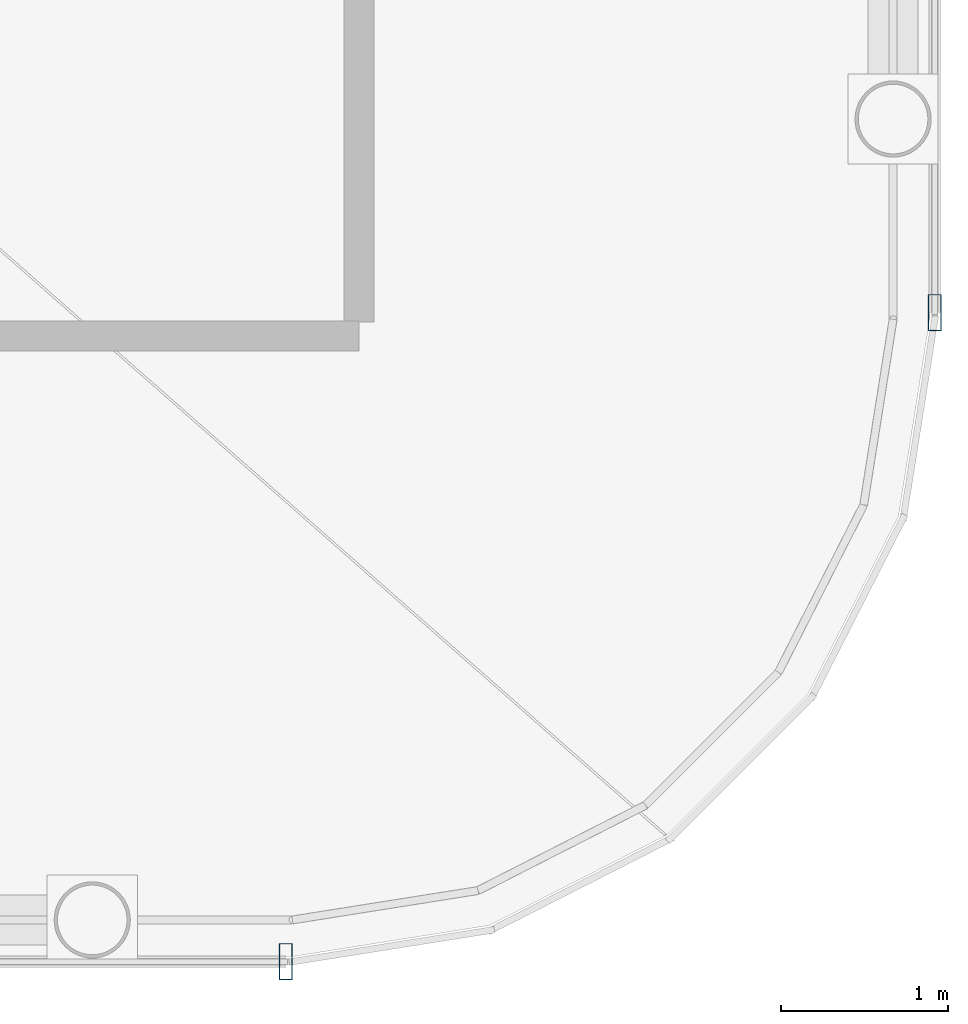
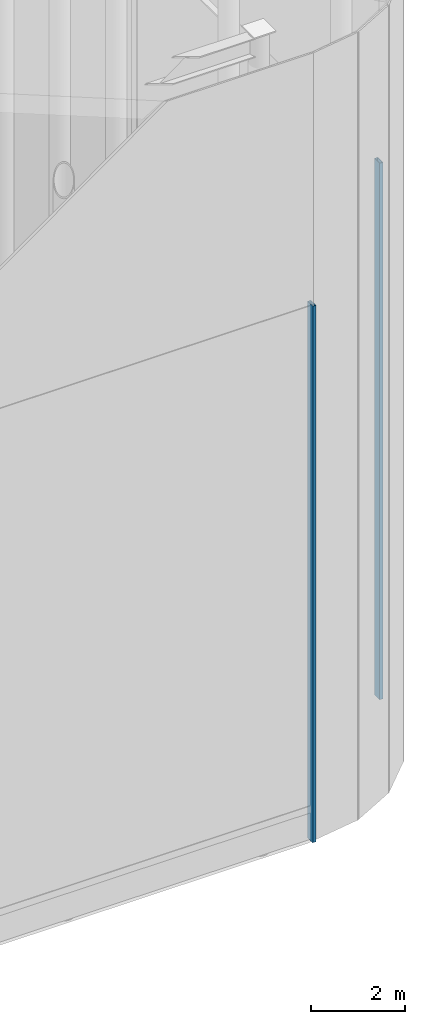
# One storey, part 18 of 42: 2 members, 2 elements without a shape of their own.
"""IFC4 building model written with IfcOpenShell, lengths in metres."""

import ifcopenshell
import ifcopenshell.guid

model = None  # the IFC model being written
_history = None  # IfcOwnerHistory: only IFC2X3 demands one
_inside = {}  # id of a spatial element -> (the spatial element, [elements in it])
_under = {}  # id of a project, library or spatial element -> (it, [spatial elements below it])
_declared = {}  # id of a project -> (the project, [libraries it declares])
_typed = {}  # id of a type object -> (the type object, [elements of that type])
_made_of = {}  # id of a material, layer set ... -> (it, [elements and type objects made of it])


def new_model(schema):
    """Start an empty IFC model of exactly this schema.

    Asked for "IFC4X3", IfcOpenShell would pick the latest addendum, in which some entities
    have other attributes; the version numbers below select the first issue.
    IFC2X3 requires an IfcOwnerHistory on every rooted entity: one is made here for all.
    """
    global model, _history
    if schema == "IFC4X3":
        model = ifcopenshell.file(schema_version=(4, 3, 0, 0))
    else:
        model = ifcopenshell.file(schema=schema)
    _inside.clear()
    _under.clear()
    _declared.clear()
    _typed.clear()
    _made_of.clear()
    _history = None
    if model.schema == "IFC2X3":
        org = make("IfcOrganization", Name="unknown")
        user = make(
            "IfcPersonAndOrganization",
            ThePerson=make("IfcPerson", FamilyName="unknown"),
            TheOrganization=org,
        )
        app = make(
            "IfcApplication",
            ApplicationDeveloper=org,
            Version="unknown",
            ApplicationFullName="unknown",
            ApplicationIdentifier="unknown",
        )
        _history = make(
            "IfcOwnerHistory",
            OwningUser=user,
            OwningApplication=app,
            ChangeAction="ADDED",
            CreationDate=0,
        )
    return model


def make(cls, **values):
    """One entity of the class cls with the attributes given. An attribute that is None is left unset."""
    return model.create_entity(
        cls, **{name: value for name, value in values.items() if value is not None}
    )


def rooted(cls, **values):
    """An entity with a GlobalId (a new one), such as an element, a storey or a relation."""
    return make(cls, GlobalId=ifcopenshell.guid.new(), OwnerHistory=_history, **values)


def si_unit(unit_type, name, prefix=None):
    """IfcSIUnit, for example si_unit("LENGTHUNIT", "METRE", prefix="MILLI")."""
    return make("IfcSIUnit", UnitType=unit_type, Prefix=prefix, Name=name)


def assignment(units):
    """IfcUnitAssignment: the units of a project."""
    return None if units is None else make("IfcUnitAssignment", Units=units)


def point(xyz):
    """IfcCartesianPoint."""
    return None if xyz is None else make("IfcCartesianPoint", Coordinates=xyz)


def direction(xyz):
    """IfcDirection."""
    return None if xyz is None else make("IfcDirection", DirectionRatios=xyz)


def frame(location, z_axis=None, x_axis=None):
    """IfcAxis2Placement3D, a coordinate frame: its origin and axes. An axis left out is left unset."""
    return make(
        "IfcAxis2Placement3D",
        Location=point(location),
        Axis=direction(z_axis),
        RefDirection=direction(x_axis),
    )


def frame_2d(location, x_axis=None):
    """IfcAxis2Placement2D, a coordinate frame in the plane: its origin and x axis."""
    return make(
        "IfcAxis2Placement2D", Location=point(location), RefDirection=direction(x_axis)
    )


def origin():
    """The frame at (0, 0, 0) with its axes left unset."""
    return frame((0.0, 0.0, 0.0))


def origin_2d():
    """The frame at (0, 0) in the plane with its x axis left unset."""
    return frame_2d((0.0, 0.0))


def place(relative_to, where):
    """IfcLocalPlacement: puts the frame where relative to a parent placement (None: the world)."""
    return make(
        "IfcLocalPlacement", PlacementRelTo=relative_to, RelativePlacement=where
    )


def context(
    kind, dimensions, precision=None, world=None, true_north=None, identifier=None
):
    """IfcGeometricRepresentationContext, for example the 3D "Model" context."""
    return make(
        "IfcGeometricRepresentationContext",
        ContextIdentifier=identifier,
        ContextType=kind,
        CoordinateSpaceDimension=dimensions,
        Precision=precision,
        WorldCoordinateSystem=world,
        TrueNorth=true_north,
    )


def subcontext(parent, identifier, kind, view, scale=None):
    """IfcGeometricRepresentationSubContext, for example "Body" below "Model"."""
    return make(
        "IfcGeometricRepresentationSubContext",
        ContextIdentifier=identifier,
        ContextType=kind,
        ParentContext=parent,
        TargetScale=scale,
        TargetView=view,
    )


def project(units=None, contexts=None):
    """IfcProject with its units and contexts."""
    return rooted(
        "IfcProject",
        Name="project",
        RepresentationContexts=contexts,
        UnitsInContext=assignment(units),
    )


def spatial(cls, under=None, at=None, **own):
    """A site, building, storey or space (cls), placed at a placement, below another one or the project."""
    s = rooted(cls, ObjectPlacement=at, **own)
    if under is not None:
        _under.setdefault(under.id(), (under, []))[1].append(s)
    return s


def profile(cls, at=None, kind="AREA", **sizes):
    """A parametric profile (cls). Its sizes go by their IFC names, for example OverallWidth=200.0."""
    return make(cls, ProfileType=kind, Position=at, **sizes)


def hollow_rectangle(**sizes):
    """IfcRectangleHollowProfileDef."""
    return profile("IfcRectangleHollowProfileDef", **sizes)


def extrude(swept, where, along, depth):
    """IfcExtrudedAreaSolid: the profile swept, set in the frame where, extruded along a direction by depth."""
    return make(
        "IfcExtrudedAreaSolid",
        SweptArea=swept,
        Position=where,
        ExtrudedDirection=direction(along),
        Depth=depth,
    )


def shape(context_of_items, identifier, shape_type, items):
    """IfcShapeRepresentation: the items that make up one representation, for example the "Body"."""
    return make(
        "IfcShapeRepresentation",
        ContextOfItems=context_of_items,
        RepresentationIdentifier=identifier,
        RepresentationType=shape_type,
        Items=items,
    )


def material(Name=None, Category=None):
    """IfcMaterial."""
    return make("IfcMaterial", Name=Name, Category=Category)


def layer(
    of_material, thickness, ventilated=None, Name=None, Category=None, Priority=None
):
    """IfcMaterialLayer: one layer of a wall or slab, of a material (None: an air gap)."""
    return make(
        "IfcMaterialLayer",
        Material=of_material,
        LayerThickness=thickness,
        IsVentilated=ventilated,
        Name=Name,
        Category=Category,
        Priority=Priority,
    )


def layer_set(layers, Name=None):
    """IfcMaterialLayerSet."""
    return make("IfcMaterialLayerSet", MaterialLayers=layers, LayerSetName=Name)


def material_profile(
    of_material, cross_section, Name=None, Category=None, Priority=None
):
    """IfcMaterialProfile: a cross section and its material."""
    return make(
        "IfcMaterialProfile",
        Name=Name,
        Material=of_material,
        Profile=cross_section,
        Priority=Priority,
        Category=Category,
    )


def profile_set(profiles, Name=None, composite=None):
    """IfcMaterialProfileSet."""
    return make(
        "IfcMaterialProfileSet",
        Name=Name,
        MaterialProfiles=profiles,
        CompositeProfile=composite,
    )


def made_of(thing, what):
    """Note that an element or type object is made of a material, layer set ...; save() writes the relation."""
    if what is not None:
        _made_of.setdefault(what.id(), (what, []))[1].append(thing)
    return thing


def type_object(cls, material=None, **own):
    """A type object (cls), such as IfcWallType, which elements share."""
    return made_of(rooted(cls, **own), material)


def element(
    cls,
    number,
    at=None,
    inside=None,
    cuts=None,
    type_object=None,
    material=None,
    context=None,
    identifier="Body",
    shape_type=None,
    held_by="IfcProductDefinitionShape",
    body=None,
    shapes=None,
    **own,
):
    """One element of the class cls, such as IfcWall. Its Tag is "e" and its number.

    at: its placement. inside: the storey or other place that contains it. cuts: it is an
    opening in that element (IfcRelVoidsElement). A single representation is given by context,
    identifier, shape_type and body (its items); several are given by shapes. held_by: the class
    of the entity that holds the representations. save() writes the other relations.
    """
    e = rooted(cls, Tag="e%d" % number, ObjectPlacement=at, **own)
    if body is not None:
        shapes = [shape(context, identifier, shape_type, body)]
    if shapes is not None:
        e.Representation = make(held_by, Representations=shapes)
    if inside is not None:
        _inside.setdefault(inside.id(), (inside, []))[1].append(e)
    if cuts is not None:
        rooted(
            "IfcRelVoidsElement", RelatingBuildingElement=cuts, RelatedOpeningElement=e
        )
    if type_object is not None:
        _typed.setdefault(type_object.id(), (type_object, []))[1].append(e)
    return made_of(e, material)


def aggregate(whole, parts):
    """IfcRelAggregates: a whole, such as a stair, and the parts it consists of."""
    return rooted("IfcRelAggregates", RelatingObject=whole, RelatedObjects=parts)


def save(model, path):
    """Write the relations noted so far, then the file.

    IfcRelAggregates (storeys below a building ...), IfcRelContainedInSpatialStructure (elements
    in a storey), IfcRelDefinesByType, IfcRelAssociatesMaterial and IfcRelDeclares: one each for
    every whole, place, type object, material and project.
    """
    for whole, parts in _under.values():
        aggregate(whole, parts)
    for where, things in _inside.values():
        rooted(
            "IfcRelContainedInSpatialStructure",
            RelatedElements=things,
            RelatingStructure=where,
        )
    for kind, things in _typed.values():
        rooted("IfcRelDefinesByType", RelatedObjects=things, RelatingType=kind)
    for what, things in _made_of.values():
        rooted("IfcRelAssociatesMaterial", RelatedObjects=things, RelatingMaterial=what)
    for by, libraries in _declared.values():
        rooted("IfcRelDeclares", RelatingContext=by, RelatedDefinitions=libraries)
    model.write(path)


model = new_model("IFC4")

# Units and contexts
model_context = context("Model", 3, precision=1e-05, world=origin(), true_north=direction((0.0, 1.0)))
body_context = subcontext(model_context, "Body", "Model", "MODEL_VIEW")
ifc_project = project(units=[si_unit("LENGTHUNIT", "METRE"), si_unit("AREAUNIT", "SQUARE_METRE"), si_unit("VOLUMEUNIT", "CUBIC_METRE"), si_unit("PLANEANGLEUNIT", "RADIAN"), si_unit("MASSUNIT", "GRAM", prefix="KILO")], contexts=[model_context])

# Site, building, storey
site_placement = place(None, origin())
site = spatial("IfcSite", under=ifc_project, at=site_placement, CompositionType="ELEMENT")
building_placement = place(site_placement, origin())
building = spatial("IfcBuilding", under=site, at=building_placement, Name="Kallvorn Hotel Tower", CompositionType="ELEMENT")
storey_placement = place(building_placement, frame((0.0, 0.0, 306.0)))
storey = spatial("IfcBuildingStorey", under=building, at=storey_placement, Name="ROOF", CompositionType="ELEMENT", Elevation=306.0)

# Curtain wall, member
ifc_material_1 = material(Name="Thermally broken black-anodised aluminium AA 6063-T6", Category="aluminium")
ifc_layer = layer(ifc_material_1, 0.18994140625)
ifc_layer_set = layer_set([ifc_layer], Name="CW_SYS_7_CROWN_DRUM")
curtain_wall_type = type_object("IfcCurtainWallType", Name="CW_SYS_7_CROWN_DRUM", PredefinedType="USERDEFINED", material=ifc_layer_set)
curtain_wall_1_placement = place(storey_placement, origin())
curtain_wall_1 = element("IfcCurtainWall", 1, at=curtain_wall_1_placement, inside=storey, type_object=curtain_wall_type, Name="ROOF Dark-Glass Curtain Wall CW-ROOF-S2", ObjectType="UNITISED CURTAIN WALL", PredefinedType="USERDEFINED")
ifc_material_2 = material(Name="Thermally broken black-anodised aluminium AA 6063-T6", Category="aluminium")
ifc_material_profile = material_profile(ifc_material_2, hollow_rectangle(XDim=0.080078125, YDim=0.219970703125, WallThickness=0.0048828125, at=origin_2d()), Name="MUL 220x80")
ifc_profile_set = profile_set([ifc_material_profile], Name="Thermally broken black-anodised aluminium AA 6063-T6")
member_type = type_object("IfcMemberType", Name="CW_MULLION_220x80", PredefinedType="MULLION", material=ifc_profile_set)
member_1_placement = place(storey_placement, frame((20.360107421875, -24.25, 0.02001953125), z_axis=(0.0, 0.0, 1.0), x_axis=(1.0, 0.0, 0.0)))
member_1 = element("IfcMember", 2, at=member_1_placement, type_object=member_type, Name="CW-ROOF-S2 Mullion 03", PredefinedType="MULLION", context=body_context, shape_type="SweptSolid", body=[
    extrude(hollow_rectangle(XDim=0.080078125, YDim=0.219970703125, WallThickness=0.0048828125, at=origin_2d()), origin(), (0.0, 0.0, 1.0), 13.9599609375),
])
aggregate(curtain_wall_1, [member_1])

curtain_wall_2_placement = place(storey_placement, origin())
curtain_wall_2 = element("IfcCurtainWall", 3, at=curtain_wall_2_placement, inside=storey, type_object=curtain_wall_type, Name="ROOF Dark-Glass Curtain Wall CW-ROOF-E1", ObjectType="UNITISED CURTAIN WALL", PredefinedType="USERDEFINED")
member_2_placement = place(storey_placement, frame((24.25, -20.360107421875, 0.02001953125), z_axis=(0.0, 0.0, 1.0), x_axis=(1.0, 0.0, 0.0)))
member_2 = element("IfcMember", 4, at=member_2_placement, type_object=member_type, Name="CW-ROOF-E1 Mullion 00", PredefinedType="MULLION", context=body_context, shape_type="SweptSolid", body=[
    extrude(hollow_rectangle(XDim=0.080078125, YDim=0.219970703125, WallThickness=0.0048828125, at=origin_2d()), origin(), (0.0, 0.0, 1.0), 13.9599609375),
])
aggregate(curtain_wall_2, [member_2])

save(model, "model.ifc")
